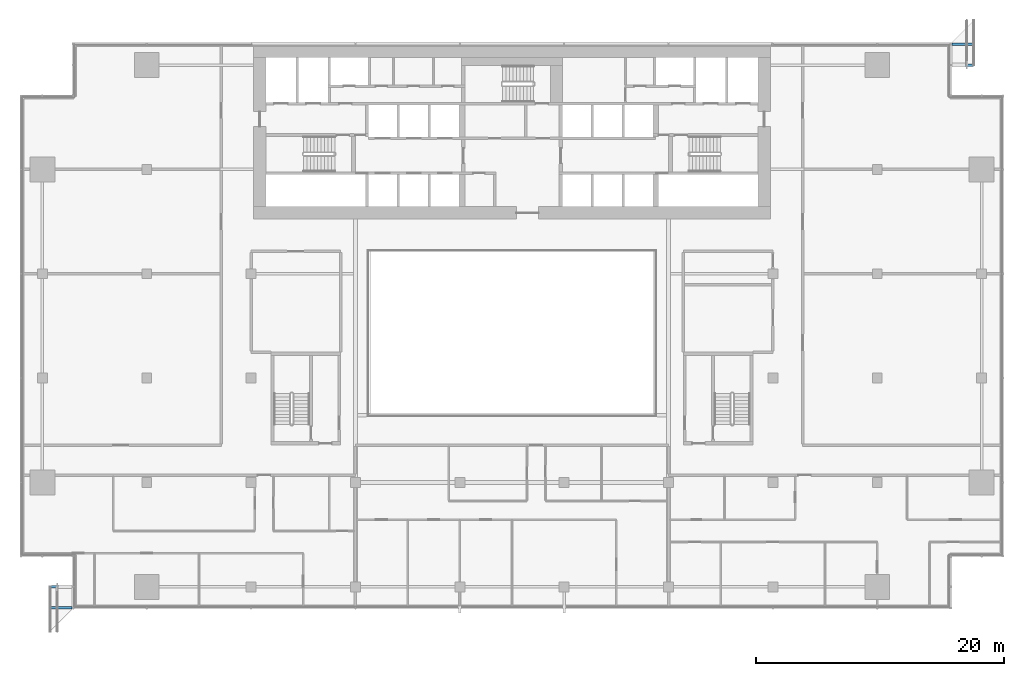
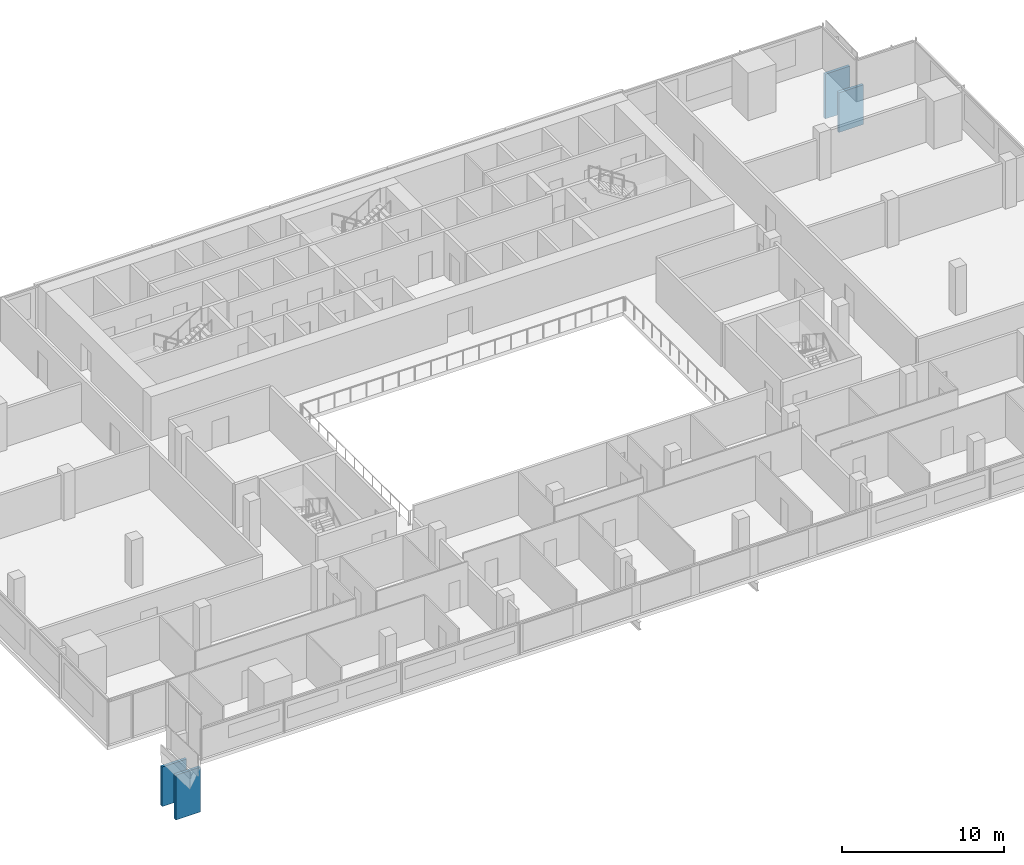
# One storey, part 24 of 26: 4 discrete accessories.
"""IFC4 building model written with IfcOpenShell, lengths in metres."""

from ifc_helpers import new_model, si_unit, direction, frame, origin, origin_2d, place, context, subcontext, project, spatial, rectangle, extrude, element, save


model = new_model("IFC4")

# Units and contexts
model_context = context("Model", 3, precision=1e-05, world=origin(), true_north=direction((0.0, 1.0)))
body_context = subcontext(model_context, "Body", "Model", "MODEL_VIEW")
ifc_project = project(units=[si_unit("LENGTHUNIT", "METRE"), si_unit("AREAUNIT", "SQUARE_METRE"), si_unit("VOLUMEUNIT", "CUBIC_METRE"), si_unit("PLANEANGLEUNIT", "RADIAN"), si_unit("MASSUNIT", "GRAM", prefix="KILO")], contexts=[model_context])

# Site, building, storey
site_placement = place(None, origin())
site = spatial("IfcSite", under=ifc_project, at=site_placement, CompositionType="ELEMENT")
building_placement = place(site_placement, origin())
building = spatial("IfcBuilding", under=site, at=building_placement, Name="Saffron Gate Tower", CompositionType="ELEMENT")
storey_placement = place(building_placement, frame((0.0, 0.0, 138.449951171875)))
storey = spatial("IfcBuildingStorey", under=building, at=storey_placement, Name="L33", CompositionType="ELEMENT", Elevation=138.449951171875)

# Discrete accessories
discrete_accessory_1_placement = place(storey_placement, frame((51.324951171875, 31.800048828125, -3.8798828125), z_axis=(0.0, 0.0, 1.0), x_axis=(0.0, -1.0, 0.0)))
element("IfcDiscreteAccessory", 1, at=discrete_accessory_1_placement, inside=storey, Name="LEDGE rib", PredefinedType="BRACKET", context=body_context, shape_type="SweptSolid", body=[
    extrude(rectangle(XDim=0.199951171875, YDim=1.75, at=origin_2d()), origin(), (0.0, 0.0, 1.0), 2.986083984375),
])
discrete_accessory_2_placement = place(storey_placement, frame((51.324951171875, 30.1201171875, -3.8798828125), z_axis=(0.0, 0.0, 1.0), x_axis=(0.0, -1.0, 0.0)))
element("IfcDiscreteAccessory", 2, at=discrete_accessory_2_placement, inside=storey, Name="LEDGE rib", PredefinedType="BRACKET", context=body_context, shape_type="SweptSolid", body=[
    extrude(rectangle(XDim=0.199951171875, YDim=1.75, at=origin_2d()), origin(), (0.0, 0.0, 1.0), 3.380859375),
])
discrete_accessory_3_placement = place(storey_placement, frame((123.875, 73.800048828125, -3.8798828125), z_axis=(0.0, 0.0, 1.0), x_axis=(0.0, 1.0, 0.0)))
element("IfcDiscreteAccessory", 3, at=discrete_accessory_3_placement, inside=storey, Name="LEDGE rib", PredefinedType="BRACKET", context=body_context, shape_type="SweptSolid", body=[
    extrude(rectangle(XDim=0.199951171875, YDim=1.75, at=origin_2d()), origin(), (0.0, 0.0, 1.0), 2.986083984375),
])
discrete_accessory_4_placement = place(storey_placement, frame((123.875, 75.47998046875, -3.8798828125), z_axis=(0.0, 0.0, 1.0), x_axis=(0.0, 1.0, 0.0)))
element("IfcDiscreteAccessory", 4, at=discrete_accessory_4_placement, inside=storey, Name="LEDGE rib", PredefinedType="BRACKET", context=body_context, shape_type="SweptSolid", body=[
    extrude(rectangle(XDim=0.199951171875, YDim=1.75, at=origin_2d()), origin(), (0.0, 0.0, 1.0), 3.380859375),
])

save(model, "model.ifc")
